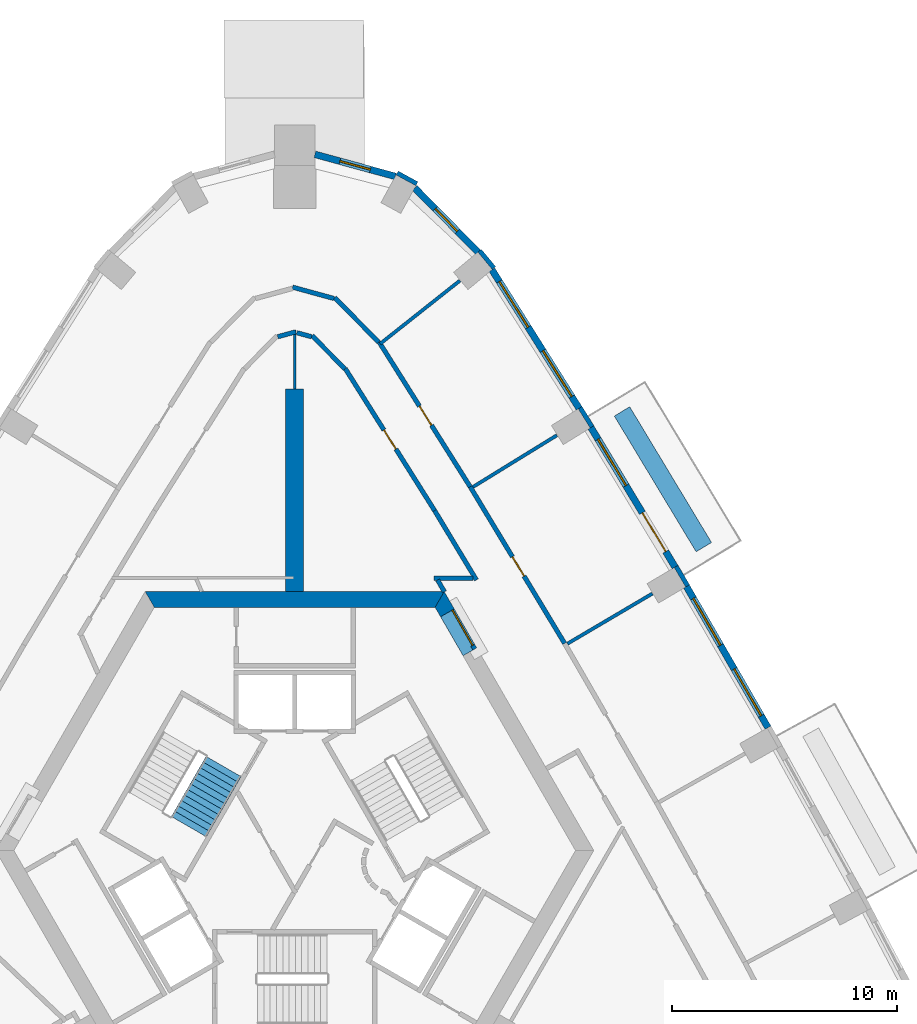
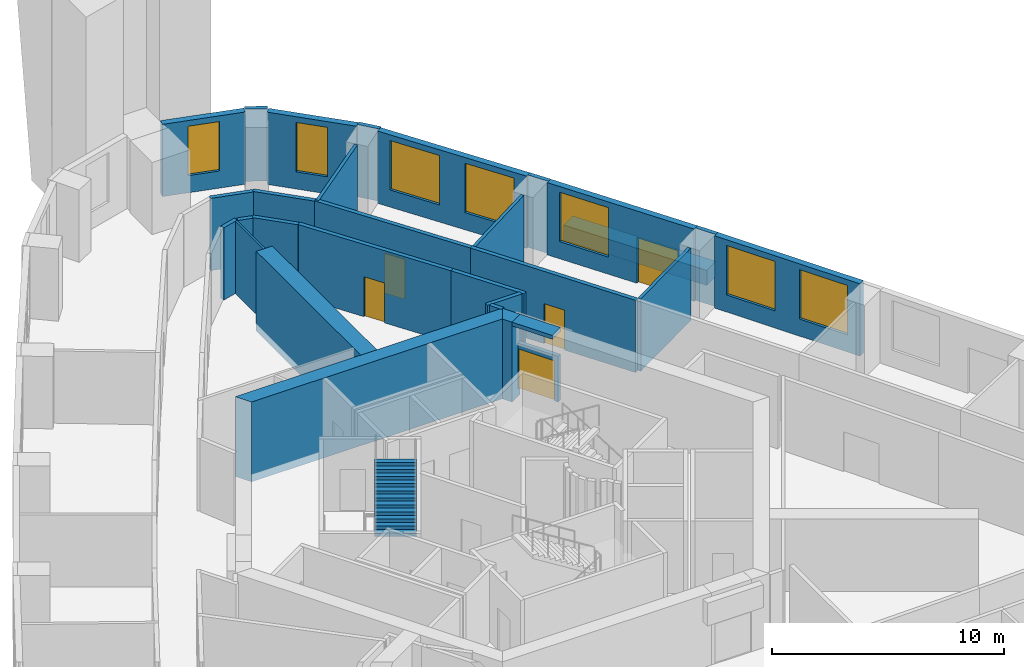
# One storey, part 9 of 13: 30 walls, 7 windows, 5 doors, 1 stair flight, 12 openings, 1 element without a shape of its own.
"""IFC4 building model written with IfcOpenShell, lengths in metres."""

from ifc_helpers import new_model, si_unit, direction, frame, frame_2d, origin, place, context, subcontext, project, spatial, polyline, rectangle, outline, extrude, material, layer, layer_set, type_object, element, fill, aggregate, save


model = new_model("IFC4")

# Units and contexts
model_context = context("Model", 3, precision=1e-05, world=origin(), true_north=direction((0.0, 1.0)))
body_context = subcontext(model_context, "Body", "Model", "MODEL_VIEW")
ifc_project = project(units=[si_unit("LENGTHUNIT", "METRE"), si_unit("AREAUNIT", "SQUARE_METRE"), si_unit("VOLUMEUNIT", "CUBIC_METRE"), si_unit("PLANEANGLEUNIT", "RADIAN"), si_unit("MASSUNIT", "GRAM", prefix="KILO")], contexts=[model_context])

# Site, building, storey
site_placement = place(None, origin())
site = spatial("IfcSite", under=ifc_project, at=site_placement, CompositionType="ELEMENT")
building_placement = place(site_placement, origin())
building = spatial("IfcBuilding", under=site, at=building_placement, Name="Entoto Arch Interchange Tower", CompositionType="ELEMENT")
storey_placement = place(building_placement, frame((0.0, 0.0, 202.39990234375)))
storey = spatial("IfcBuildingStorey", under=building, at=storey_placement, Name="L45", CompositionType="ELEMENT", Elevation=202.39990234375)

# Wall
ifc_material_1 = material(Name="Concrete C50/60", Category="concrete")
ifc_layer_1 = layer(ifc_material_1, 0.800048828125)
ifc_layer_set_1 = layer_set([ifc_layer_1], Name="Concrete C50/60")
wall_type_1 = type_object("IfcWallType", Name="Buttress wall 800 C50/60", PredefinedType="SHEAR", material=ifc_layer_set_1)
wall_1_placement = place(storey_placement, frame((0.0, 14.0, -0.39990234375), z_axis=(0.0, 0.0, 1.0), x_axis=(0.0, 1.0, 0.0)))
element("IfcWall", 1, at=wall_1_placement, inside=storey, type_object=wall_type_1, Name="Buttress wall N L45", PredefinedType="SHEAR", context=body_context, shape_type="SweptSolid", body=[
    extrude(rectangle(XDim=9.0, YDim=0.800048828125, at=frame_2d((4.5, 0.0))), origin(), (0.0, 0.0, 1.0), 4.199951171875),
])

# Wall, opening, door
ifc_material_2 = material(Name="Reinforced concrete C40/50", Category="concrete")
ifc_layer_2 = layer(ifc_material_2, 0.199951171875)
ifc_layer_set_2 = layer_set([ifc_layer_2], Name="Reinforced concrete C40/50")
wall_type_2 = type_object("IfcWallType", Name="CORE GAP INFILL WALL", PredefinedType="PARTITIONING", material=ifc_layer_set_2)
wall_2_placement = place(storey_placement, frame((7.9970703125, 11.447998046875, 0.0), z_axis=(0.0, 0.0, 1.0), x_axis=(-0.50002537861, 0.866010750942, 0.0)))
wall_2 = element("IfcWall", 2, at=wall_2_placement, inside=storey, type_object=wall_type_2, Name="wall:L45:gap2", PredefinedType="PARTITIONING", context=body_context, shape_type="SweptSolid", body=[
    extrude(rectangle(XDim=2.0, YDim=0.199951171875, at=frame_2d((1.0, 0.0))), origin(), (0.0, 0.0, 1.0), 2.400146484375),
])
opening_1_placement = place(wall_2_placement, frame((0.18994140625, 0.0, 0.0)))
opening_1 = element("IfcOpeningElement", 3, at=opening_1_placement, cuts=wall_2, Name="Opening L45-D92", PredefinedType="OPENING", context=body_context, shape_type="SweptSolid", body=[
    extrude(rectangle(XDim=1.800048828125, YDim=2.10009765625, at=frame_2d((0.89990234375, 1.050048828125))), frame((0.0, 0.10986328125, 0.0), z_axis=(0.0, -1.0, 0.0), x_axis=(1.0, 0.0, 0.0)), (0.0, 0.0, 1.0), 0.219970703125),
])
ifc_material_3 = material(Name="Fire-rated Steel S235 door and frame", Category="steel")
door_type_1 = type_object("IfcDoorType", Name="DOOR FD-18 1800x2100", OperationType="DOUBLE_DOOR_SINGLE_SWING", PredefinedType="DOOR", material=ifc_material_3)
door_1_placement = place(opening_1_placement, origin())
door_1 = element("IfcDoor", 4, at=door_1_placement, inside=storey, type_object=door_type_1, Name="door:L45:gap2", OperationType="DOUBLE_DOOR_SINGLE_SWING", OverallHeight=2.10009765625, OverallWidth=1.800048828125, PredefinedType="DOOR", context=body_context, shape_type="SweptSolid", body=[
    extrude(rectangle(XDim=1.800048828125, YDim=2.10009765625, at=frame_2d((0.89990234375, 1.050048828125))), frame((0.0, 0.02490234375, 0.0), z_axis=(0.0, -1.0, 0.0), x_axis=(1.0, 0.0, 0.0)), (0.0, 0.0, 1.0), 0.050048828125),
])
fill(opening_1, door_1)

# Walls
ifc_layer_3 = layer(ifc_material_1, 0.699951171875)
ifc_layer_set_3 = layer_set([ifc_layer_3], Name="Concrete C50/60")
wall_type_3 = type_object("IfcWallType", Name="Core wall 700 C50/60", PredefinedType="SHEAR", material=ifc_layer_set_3)
wall_3_placement = place(storey_placement, frame((0.0, 0.0, -0.39990234375)))
element("IfcWall", 5, at=wall_3_placement, inside=storey, type_object=wall_type_3, Name="Core wall NE L45", PredefinedType="SHEAR", context=body_context, shape_type="SweptSolid", body=[
    extrude(outline(polyline([(6.47802734375, 12.8798828125), (7.083984375, 13.22998046875), (6.639892578125, 14.0), (6.235107421875, 13.300048828125), (6.47802734375, 12.8798828125)])), origin(), (0.0, 0.0, 1.0), 4.199951171875),
])
wall_4_placement = place(storey_placement, frame((0.0, 0.0, 3.60009765625)))
element("IfcWall", 6, at=wall_4_placement, inside=storey, type_object=wall_type_3, Name="Core wall lintel NE L45", PredefinedType="SHEAR", context=body_context, shape_type="SweptSolid", body=[
    extrude(outline(polyline([(7.083984375, 13.22998046875), (6.47802734375, 12.8798828125), (7.47802734375, 11.14794921875), (8.083984375, 11.498046875), (7.083984375, 13.22998046875)])), origin(), (0.0, 0.0, 1.0), 0.199951171875),
])
wall_5_placement = place(storey_placement, frame((0.0, 0.0, -0.39990234375)))
element("IfcWall", 7, at=wall_5_placement, inside=storey, type_object=wall_type_3, Name="Core wall N L45", PredefinedType="SHEAR", context=body_context, shape_type="SweptSolid", body=[
    extrude(outline(polyline([(6.639892578125, 14.0), (-6.639892578125, 14.0), (-6.235107421875, 13.300048828125), (6.235107421875, 13.300048828125), (6.639892578125, 14.0)])), origin(), (0.0, 0.0, 1.0), 4.199951171875),
])
ifc_material_4 = material(Name="Gypsum board partition on steel studs", Category="steel")
ifc_layer_4 = layer(ifc_material_4, 0.10009765625)
ifc_layer_set_4 = layer_set([ifc_layer_4], Name="Gypsum board partition on steel studs")
wall_type_4 = type_object("IfcWallType", Name="PARTITION 100", PredefinedType="PARTITIONING", material=ifc_layer_set_4)
wall_6_placement = place(storey_placement, frame((0.0, 23.0, 0.0), z_axis=(0.0, 0.0, 1.0), x_axis=(0.0, 1.0, 0.0)))
element("IfcWall", 8, at=wall_6_placement, inside=storey, type_object=wall_type_4, Name="wall:L45:p098", PredefinedType="PARTITIONING", context=body_context, shape_type="SweptSolid", body=[
    extrude(rectangle(XDim=2.6201171875, YDim=0.10009765625, at=frame_2d((1.31005859375, 0.0))), origin(), (0.0, 0.0, 1.0), 3.800048828125),
])
ifc_layer_5 = layer(ifc_material_4, 0.14990234375)
ifc_layer_set_5 = layer_set([ifc_layer_5], Name="Gypsum board partition on steel studs")
wall_type_5 = type_object("IfcWallType", Name="PARTITION 150", PredefinedType="PARTITIONING", material=ifc_layer_set_5)
wall_7_placement = place(storey_placement, frame((12.111083984375, 11.68408203125, 0.0), z_axis=(0.0, 0.0, 1.0), x_axis=(0.861290233547, 0.508113307833, 0.0)))
element("IfcWall", 9, at=wall_7_placement, inside=storey, type_object=wall_type_5, Name="wall:L45:p114", PredefinedType="PARTITIONING", context=body_context, shape_type="SweptSolid", body=[
    extrude(rectangle(XDim=4.380615234375, YDim=0.14990234375, at=frame_2d((2.1904296875, 0.0))), origin(), (0.0, 0.0, 1.0), 3.800048828125),
])
wall_8_placement = place(storey_placement, frame((7.916015625, 18.64404296875, 0.0), z_axis=(0.0, 0.0, 1.0), x_axis=(0.851543444049, 0.524284047914, 0.0)))
element("IfcWall", 10, at=wall_8_placement, inside=storey, type_object=wall_type_5, Name="wall:L45:p115", PredefinedType="PARTITIONING", context=body_context, shape_type="SweptSolid", body=[
    extrude(rectangle(XDim=4.379150390625, YDim=0.14990234375, at=frame_2d((2.189453125, 0.0))), origin(), (0.0, 0.0, 1.0), 3.800048828125),
])
wall_9_placement = place(storey_placement, frame((3.797119140625, 25.0029296875, 0.0), z_axis=(0.0, 0.0, 1.0), x_axis=(0.783893371826, 0.620895467536, 0.0)))
element("IfcWall", 11, at=wall_9_placement, inside=storey, type_object=wall_type_5, Name="wall:L45:p116", PredefinedType="PARTITIONING", context=body_context, shape_type="SweptSolid", body=[
    extrude(rectangle(XDim=4.514404296875, YDim=0.14990234375, at=frame_2d((2.25732421875, 0.0))), origin(), (0.0, 0.0, 1.0), 3.800048828125),
])
ifc_layer_6 = layer(ifc_material_4, 0.199951171875)
ifc_layer_set_6 = layer_set([ifc_layer_6], Name="Gypsum board partition on steel studs")
wall_type_6 = type_object("IfcWallType", Name="PARTITION 200", PredefinedType="PARTITIONING", material=ifc_layer_set_6)
wall_10_placement = place(storey_placement, frame((6.64892578125, 13.988037109375, 0.0), z_axis=(0.0, 0.0, 1.0), x_axis=(-0.499908430952, 0.866078264744, 0.0)))
element("IfcWall", 12, at=wall_10_placement, inside=storey, type_object=wall_type_6, Name="wall:L45:p005", PredefinedType="PARTITIONING", context=body_context, shape_type="SweptSolid", body=[
    extrude(rectangle(XDim=0.60595703125, YDim=0.199951171875, at=frame_2d((0.302978515625, 0.0))), origin(), (0.0, 0.0, 1.0), 3.800048828125),
])
wall_11_placement = place(storey_placement, frame((6.196044921875, 14.60009765625, 0.0), z_axis=(0.0, 0.0, 1.0), x_axis=(1.0, 0.0, 0.0)))
element("IfcWall", 13, at=wall_11_placement, inside=storey, type_object=wall_type_6, Name="wall:L45:p006", PredefinedType="PARTITIONING", context=body_context, shape_type="SweptSolid", body=[
    extrude(rectangle(XDim=1.721923828125, YDim=0.199951171875, at=frame_2d((0.86083984375, 0.0))), origin(), (0.0, 0.0, 1.0), 3.800048828125),
])
wall_12_placement = place(storey_placement, frame((8.070068359375, 14.513916015625, 0.0), z_axis=(0.0, 0.0, 1.0), x_axis=(-0.51624118739, 0.856443247648, 0.0)))
element("IfcWall", 14, at=wall_12_placement, inside=storey, type_object=wall_type_6, Name="wall:L45:p007", PredefinedType="PARTITIONING", context=body_context, shape_type="SweptSolid", body=[
    extrude(rectangle(XDim=3.597412109375, YDim=0.199951171875, at=frame_2d((1.798828125, 0.0))), origin(), (0.0, 0.0, 1.0), 3.800048828125),
])

# Wall, opening, door
wall_13_placement = place(storey_placement, frame((6.212890625, 17.594970703125, 0.0), z_axis=(0.0, 0.0, 1.0), x_axis=(-0.532527247309, 0.846412860768, 0.0)))
wall_13 = element("IfcWall", 15, at=wall_13_placement, inside=storey, type_object=wall_type_6, Name="wall:L45:p008", PredefinedType="PARTITIONING", context=body_context, shape_type="SweptSolid", body=[
    extrude(rectangle(XDim=7.448974609375, YDim=0.199951171875, at=frame_2d((3.724609375, 0.0))), origin(), (0.0, 0.0, 1.0), 3.800048828125),
])
opening_2_placement = place(wall_13_placement, frame((3.22509765625, 0.0, 0.0)))
opening_2 = element("IfcOpeningElement", 16, at=opening_2_placement, cuts=wall_13, Name="Opening L45-D17", PredefinedType="OPENING", context=body_context, shape_type="SweptSolid", body=[
    extrude(rectangle(XDim=1.0, YDim=2.10009765625, at=frame_2d((0.5, 1.050048828125))), frame((0.0, 0.10986328125, 0.0), z_axis=(0.0, -1.0, 0.0), x_axis=(1.0, 0.0, 0.0)), (0.0, 0.0, 1.0), 0.219970703125),
])
ifc_material_5 = material(Name="Timber door leaf in Steel S235 frame", Category="steel")
door_type_2 = type_object("IfcDoorType", Name="DOOR DS-10 1000x2100", OperationType="SINGLE_SWING_LEFT", PredefinedType="DOOR", material=ifc_material_5)
door_2_placement = place(opening_2_placement, origin())
door_2 = element("IfcDoor", 17, at=door_2_placement, inside=storey, type_object=door_type_2, Name="door:L45:17", OperationType="SINGLE_SWING_LEFT", OverallHeight=2.10009765625, OverallWidth=1.0, PredefinedType="DOOR", context=body_context, shape_type="SweptSolid", body=[
    extrude(rectangle(XDim=1.0, YDim=2.10009765625, at=frame_2d((0.5, 1.050048828125))), frame((0.0, 0.02490234375, 0.0), z_axis=(0.0, -1.0, 0.0), x_axis=(1.0, 0.0, 0.0)), (0.0, 0.0, 1.0), 0.050048828125),
])
fill(opening_2, door_2)

# Walls
wall_14_placement = place(storey_placement, frame((2.22900390625, 23.886962890625, 0.0), z_axis=(0.0, 0.0, 1.0), x_axis=(-0.702245482258, 0.711934886523, 0.0)))
element("IfcWall", 18, at=wall_14_placement, inside=storey, type_object=wall_type_6, Name="wall:L45:p009", PredefinedType="PARTITIONING", context=body_context, shape_type="SweptSolid", body=[
    extrude(rectangle(XDim=2.066162109375, YDim=0.199951171875, at=frame_2d((1.033203125, 0.0))), origin(), (0.0, 0.0, 1.0), 3.800048828125),
])
wall_15_placement = place(storey_placement, frame((0.751953125, 25.31298828125, 0.0), z_axis=(0.0, 0.0, 1.0), x_axis=(-0.964381816756, 0.264514104559, 0.0)))
element("IfcWall", 19, at=wall_15_placement, inside=storey, type_object=wall_type_6, Name="wall:L45:p010", PredefinedType="PARTITIONING", context=body_context, shape_type="SweptSolid", body=[
    extrude(rectangle(XDim=0.68017578125, YDim=0.199951171875, at=frame_2d((0.340087890625, 0.0))), origin(), (0.0, 0.0, 1.0), 3.800048828125),
])
wall_16_placement = place(storey_placement, frame((0.048095703125, 25.532958984375, 0.0), z_axis=(0.0, 0.0, 1.0), x_axis=(-0.964218556253, -0.265108611286, 0.0)))
element("IfcWall", 20, at=wall_16_placement, inside=storey, type_object=wall_type_6, Name="wall:L45:p011", PredefinedType="PARTITIONING", context=body_context, shape_type="SweptSolid", body=[
    extrude(rectangle(XDim=0.829833984375, YDim=0.199951171875, at=frame_2d((0.4150390625, 0.0))), origin(), (0.0, 0.0, 1.0), 3.800048828125),
])

# Wall, opening, door
wall_17_placement = place(storey_placement, frame((7.7919921875, 18.655029296875, 0.0), z_axis=(0.0, 0.0, 1.0), x_axis=(0.516293428925, -0.856411755669, 0.0)))
wall_17 = element("IfcWall", 21, at=wall_17_placement, inside=storey, type_object=wall_type_6, Name="wall:L45:p046", PredefinedType="PARTITIONING", context=body_context, shape_type="SweptSolid", body=[
    extrude(rectangle(XDim=8.12353515625, YDim=0.199951171875, at=frame_2d((4.061767578125, 0.0))), origin(), (0.0, 0.0, 1.0), 3.800048828125),
])
opening_3_placement = place(wall_17_placement, frame((3.636962890625, 0.0, 0.0)))
opening_3 = element("IfcOpeningElement", 22, at=opening_3_placement, cuts=wall_17, Name="Opening L45-D07", PredefinedType="OPENING", context=body_context, shape_type="SweptSolid", body=[
    extrude(rectangle(XDim=1.0, YDim=2.10009765625, at=frame_2d((0.5, 1.050048828125))), frame((0.0, 0.10986328125, 0.0), z_axis=(0.0, -1.0, 0.0), x_axis=(1.0, 0.0, 0.0)), (0.0, 0.0, 1.0), 0.219970703125),
])
door_3_placement = place(opening_3_placement, origin())
door_3 = element("IfcDoor", 23, at=door_3_placement, inside=storey, type_object=door_type_2, Name="door:L45:07", OperationType="SINGLE_SWING_RIGHT", OverallHeight=2.10009765625, OverallWidth=1.0, PredefinedType="DOOR", context=body_context, shape_type="SweptSolid", body=[
    extrude(rectangle(XDim=1.0, YDim=2.10009765625, at=frame_2d((0.5, 1.050048828125))), frame((0.0, 0.02490234375, 0.0), z_axis=(0.0, -1.0, 0.0), x_axis=(1.0, 0.0, 0.0)), (0.0, 0.0, 1.0), 0.050048828125),
])
fill(opening_3, door_3)

wall_18_placement = place(storey_placement, frame((3.743896484375, 25.0869140625, 0.0), z_axis=(0.0, 0.0, 1.0), x_axis=(0.532569549341, -0.846386244639, 0.0)))
wall_18 = element("IfcWall", 24, at=wall_18_placement, inside=storey, type_object=wall_type_6, Name="wall:L45:p047", PredefinedType="PARTITIONING", context=body_context, shape_type="SweptSolid", body=[
    extrude(rectangle(XDim=7.59912109375, YDim=0.199951171875, at=frame_2d((3.799560546875, 0.0))), origin(), (0.0, 0.0, 1.0), 3.800048828125),
])
opening_4_placement = place(wall_18_placement, frame((3.375, 0.0, 0.0)))
opening_4 = element("IfcOpeningElement", 25, at=opening_4_placement, cuts=wall_18, Name="Opening L45-D08", PredefinedType="OPENING", context=body_context, shape_type="SweptSolid", body=[
    extrude(rectangle(XDim=1.0, YDim=2.10009765625, at=frame_2d((0.5, 1.050048828125))), frame((0.0, 0.10986328125, 0.0), z_axis=(0.0, -1.0, 0.0), x_axis=(1.0, 0.0, 0.0)), (0.0, 0.0, 1.0), 0.219970703125),
])
door_4_placement = place(opening_4_placement, origin())
door_4 = element("IfcDoor", 26, at=door_4_placement, inside=storey, type_object=door_type_2, Name="door:L45:08", OperationType="SINGLE_SWING_LEFT", OverallHeight=2.10009765625, OverallWidth=1.0, PredefinedType="DOOR", context=body_context, shape_type="SweptSolid", body=[
    extrude(rectangle(XDim=1.0, YDim=2.10009765625, at=frame_2d((0.5, 1.050048828125))), frame((0.0, 0.02490234375, 0.0), z_axis=(0.0, -1.0, 0.0), x_axis=(1.0, 0.0, 0.0)), (0.0, 0.0, 1.0), 0.050048828125),
])
fill(opening_4, door_4)

# Walls
wall_19_placement = place(storey_placement, frame((-0.095947265625, 27.51611328125, 0.0), z_axis=(0.0, 0.0, 1.0), x_axis=(0.964432860438, -0.264327935918, 0.0)))
element("IfcWall", 27, at=wall_19_placement, inside=storey, type_object=wall_type_6, Name="wall:L45:p051", PredefinedType="PARTITIONING", context=body_context, shape_type="SweptSolid", body=[
    extrude(rectangle(XDim=1.910888671875, YDim=0.199951171875, at=frame_2d((0.95556640625, 0.0))), origin(), (0.0, 0.0, 1.0), 3.800048828125),
])
wall_20_placement = place(storey_placement, frame((1.77294921875, 27.055908203125, 0.0), z_axis=(0.0, 0.0, 1.0), x_axis=(0.702089218366, -0.712088989842, 0.0)))
element("IfcWall", 28, at=wall_20_placement, inside=storey, type_object=wall_type_6, Name="wall:L45:p052", PredefinedType="PARTITIONING", context=body_context, shape_type="SweptSolid", body=[
    extrude(rectangle(XDim=2.783203125, YDim=0.199951171875, at=frame_2d((1.3916015625, 0.0))), origin(), (0.0, 0.0, 1.0), 3.800048828125),
])
ifc_material_6 = material(Name="Board-marked precast concrete C50/60", Category="concrete")
ifc_layer_7 = layer(ifc_material_6, 0.800048828125)
ifc_layer_set_7 = layer_set([ifc_layer_7], Name="Board-marked precast concrete C50/60")
wall_type_7 = type_object("IfcWallType", Name="PLANTER RC 800 Afrocarpus falcatus", PredefinedType="STANDARD", material=ifc_layer_set_7)
wall_21_placement = place(storey_placement, frame((18.16796875, 15.969970703125, 0.0), z_axis=(0.0, 0.0, 1.0), x_axis=(-0.516228760394, 0.856450738188, 0.0)))
element("IfcWall", 29, at=wall_21_placement, inside=storey, type_object=wall_type_7, Name="Planter NE-04 L45", PredefinedType="STANDARD", context=body_context, shape_type="SweptSolid", body=[
    extrude(rectangle(XDim=7.03955078125, YDim=0.800048828125, at=frame_2d((3.519775390625, 0.0))), origin(), (0.0, 0.0, 1.0), 0.800048828125),
])

# Wall, openings, windows
ifc_material_7 = material(Name="Welded tuff (ignimbrite) cladding, warm buff", Category="masonry")
ifc_layer_8 = layer(ifc_material_7, 0.300048828125)
ifc_layer_set_8 = layer_set([ifc_layer_8], Name="Welded tuff (ignimbrite) cladding, warm buff")
wall_type_8 = type_object("IfcWallType", Name="STONE INFILL WALL 300", PredefinedType="STANDARD", material=ifc_layer_set_8)
wall_22_placement = place(storey_placement, frame((21.01904296875, 7.955078125, 0.0), z_axis=(0.0, 0.0, 1.0), x_axis=(-0.500012402131, 0.866018243292, 0.0)))
wall_22 = element("IfcWall", 30, at=wall_22_placement, inside=storey, type_object=wall_type_8, Name="Facade wall NE-03 L45", PredefinedType="STANDARD", context=body_context, shape_type="SweptSolid", body=[
    extrude(rectangle(XDim=7.239990234375, YDim=0.300048828125, at=frame_2d((3.6201171875, 0.0))), origin(), (0.0, 0.0, 1.0), 3.800048828125),
])
opening_5_placement = place(wall_22_placement, frame((0.610107421875, 0.0, 0.89990234375)))
opening_5 = element("IfcOpeningElement", 31, at=opening_5_placement, cuts=wall_22, Name="Opening WO-A", PredefinedType="OPENING", context=body_context, shape_type="SweptSolid", body=[
    extrude(rectangle(XDim=2.39990234375, YDim=2.60009765625, at=frame_2d((1.199951171875, 1.300048828125))), frame((0.0, 0.16015625, 0.0), z_axis=(0.0, -1.0, 0.0), x_axis=(1.0, 0.0, 0.0)), (0.0, 0.0, 1.0), 0.320068359375),
])
opening_6_placement = place(wall_22_placement, frame((4.22998046875, 0.0, 0.89990234375)))
opening_6 = element("IfcOpeningElement", 32, at=opening_6_placement, cuts=wall_22, Name="Opening WO-A", PredefinedType="OPENING", context=body_context, shape_type="SweptSolid", body=[
    extrude(rectangle(XDim=2.39990234375, YDim=2.60009765625, at=frame_2d((1.199951171875, 1.300048828125))), frame((0.0, 0.16015625, 0.0), z_axis=(0.0, -1.0, 0.0), x_axis=(1.0, 0.0, 0.0)), (0.0, 0.0, 1.0), 0.320068359375),
])
ifc_material_8 = material(Name="Clear glass, low-e double glazed", Category="glass")
window_type_1 = type_object("IfcWindowType", Name="WINDOW WO-A 2400x2600", PartitioningType="DOUBLE_PANEL_VERTICAL", PredefinedType="WINDOW", material=ifc_material_8)
window_1_placement = place(opening_5_placement, origin())
window_1 = element("IfcWindow", 33, at=window_1_placement, inside=storey, type_object=window_type_1, Name="Window WO-A NE-03 L45", OverallHeight=2.60009765625, OverallWidth=2.39990234375, PartitioningType="SINGLE_PANEL", PredefinedType="WINDOW", context=body_context, shape_type="SweptSolid", body=[
    extrude(rectangle(XDim=2.39990234375, YDim=2.60009765625, at=frame_2d((1.199951171875, 1.300048828125))), frame((0.0, 0.030029296875, 0.0), z_axis=(0.0, -1.0, 0.0), x_axis=(1.0, 0.0, 0.0)), (0.0, 0.0, 1.0), 0.06005859375),
])
fill(opening_5, window_1)
window_2_placement = place(opening_6_placement, origin())
window_2 = element("IfcWindow", 34, at=window_2_placement, inside=storey, type_object=window_type_1, Name="Window WO-A NE-03 L45", OverallHeight=2.60009765625, OverallWidth=2.39990234375, PartitioningType="SINGLE_PANEL", PredefinedType="WINDOW", context=body_context, shape_type="SweptSolid", body=[
    extrude(rectangle(XDim=2.39990234375, YDim=2.60009765625, at=frame_2d((1.199951171875, 1.300048828125))), frame((0.0, 0.030029296875, 0.0), z_axis=(0.0, -1.0, 0.0), x_axis=(1.0, 0.0, 0.0)), (0.0, 0.0, 1.0), 0.06005859375),
])
fill(opening_6, window_2)

# Wall, openings, door, window
wall_23_placement = place(storey_placement, frame((16.89208984375, 15.083984375, 0.0), z_axis=(0.0, 0.0, 1.0), x_axis=(-0.516230553484, 0.856449657394, 0.0)))
wall_23 = element("IfcWall", 35, at=wall_23_placement, inside=storey, type_object=wall_type_8, Name="Facade wall NE-04 L45", PredefinedType="STANDARD", context=body_context, shape_type="SweptSolid", body=[
    extrude(rectangle(XDim=7.239013671875, YDim=0.300048828125, at=frame_2d((3.61962890625, 0.0))), origin(), (0.0, 0.0, 1.0), 3.800048828125),
])
opening_7_placement = place(wall_23_placement, frame((0.81005859375, 0.0, 0.0)))
opening_7 = element("IfcOpeningElement", 36, at=opening_7_placement, cuts=wall_23, Name="Opening DB-NE-04-L45", PredefinedType="OPENING", context=body_context, shape_type="SweptSolid", body=[
    extrude(rectangle(XDim=2.0, YDim=2.39990234375, at=frame_2d((1.0, 1.199951171875))), frame((0.0, 0.16015625, 0.0), z_axis=(0.0, -1.0, 0.0), x_axis=(1.0, 0.0, 0.0)), (0.0, 0.0, 1.0), 0.320068359375),
])
opening_8_placement = place(wall_23_placement, frame((4.22900390625, 0.0, 0.89990234375)))
opening_8 = element("IfcOpeningElement", 37, at=opening_8_placement, cuts=wall_23, Name="Opening WO-A", PredefinedType="OPENING", context=body_context, shape_type="SweptSolid", body=[
    extrude(rectangle(XDim=2.39990234375, YDim=2.60009765625, at=frame_2d((1.199951171875, 1.300048828125))), frame((0.0, 0.16015625, 0.0), z_axis=(0.0, -1.0, 0.0), x_axis=(1.0, 0.0, 0.0)), (0.0, 0.0, 1.0), 0.320068359375),
])
ifc_material_9 = material(Name="Aluminium and clear glass, anodised", Category="aluminium")
door_type_3 = type_object("IfcDoorType", Name="BALCONY DOOR DB 2000x2400", OperationType="SLIDING_TO_LEFT", PredefinedType="DOOR", material=ifc_material_9)
door_5_placement = place(opening_7_placement, origin())
door_5 = element("IfcDoor", 38, at=door_5_placement, inside=storey, type_object=door_type_3, Name="Balcony door NE-04 L45", OperationType="SLIDING_TO_LEFT", OverallHeight=2.39990234375, OverallWidth=2.0, PredefinedType="DOOR", context=body_context, shape_type="SweptSolid", body=[
    extrude(rectangle(XDim=2.0, YDim=2.39990234375, at=frame_2d((1.0, 1.199951171875))), frame((0.0, 0.02490234375, 0.0), z_axis=(0.0, -1.0, 0.0), x_axis=(1.0, 0.0, 0.0)), (0.0, 0.0, 1.0), 0.050048828125),
])
fill(opening_7, door_5)
window_3_placement = place(opening_8_placement, origin())
window_3 = element("IfcWindow", 39, at=window_3_placement, inside=storey, type_object=window_type_1, Name="Window WO-A NE-04 L45", OverallHeight=2.60009765625, OverallWidth=2.39990234375, PartitioningType="SINGLE_PANEL", PredefinedType="WINDOW", context=body_context, shape_type="SweptSolid", body=[
    extrude(rectangle(XDim=2.39990234375, YDim=2.60009765625, at=frame_2d((1.199951171875, 1.300048828125))), frame((0.0, 0.030029296875, 0.0), z_axis=(0.0, -1.0, 0.0), x_axis=(1.0, 0.0, 0.0)), (0.0, 0.0, 1.0), 0.06005859375),
])
fill(opening_8, window_3)

# Wall, openings, windows
wall_24_placement = place(storey_placement, frame((12.632080078125, 22.134033203125, 0.0), z_axis=(0.0, 0.0, 1.0), x_axis=(-0.532522107002, 0.84641609481, 0.0)))
wall_24 = element("IfcWall", 40, at=wall_24_placement, inside=storey, type_object=wall_type_8, Name="Facade wall NE-05 L45", PredefinedType="STANDARD", context=body_context, shape_type="SweptSolid", body=[
    extrude(rectangle(XDim=7.27294921875, YDim=0.300048828125, at=frame_2d((3.636474609375, 0.0))), origin(), (0.0, 0.0, 1.0), 3.800048828125),
])
opening_9_placement = place(wall_24_placement, frame((0.617919921875, 0.0, 0.89990234375)))
opening_9 = element("IfcOpeningElement", 41, at=opening_9_placement, cuts=wall_24, Name="Opening WO-A", PredefinedType="OPENING", context=body_context, shape_type="SweptSolid", body=[
    extrude(rectangle(XDim=2.39990234375, YDim=2.60009765625, at=frame_2d((1.199951171875, 1.300048828125))), frame((0.0, 0.16015625, 0.0), z_axis=(0.0, -1.0, 0.0), x_axis=(1.0, 0.0, 0.0)), (0.0, 0.0, 1.0), 0.320068359375),
])
opening_10_placement = place(wall_24_placement, frame((4.2548828125, 0.0, 0.89990234375)))
opening_10 = element("IfcOpeningElement", 42, at=opening_10_placement, cuts=wall_24, Name="Opening WO-A", PredefinedType="OPENING", context=body_context, shape_type="SweptSolid", body=[
    extrude(rectangle(XDim=2.39990234375, YDim=2.60009765625, at=frame_2d((1.199951171875, 1.300048828125))), frame((0.0, 0.16015625, 0.0), z_axis=(0.0, -1.0, 0.0), x_axis=(1.0, 0.0, 0.0)), (0.0, 0.0, 1.0), 0.320068359375),
])
window_4_placement = place(opening_9_placement, origin())
window_4 = element("IfcWindow", 43, at=window_4_placement, inside=storey, type_object=window_type_1, Name="Window WO-A NE-05 L45", OverallHeight=2.60009765625, OverallWidth=2.39990234375, PartitioningType="SINGLE_PANEL", PredefinedType="WINDOW", context=body_context, shape_type="SweptSolid", body=[
    extrude(rectangle(XDim=2.39990234375, YDim=2.60009765625, at=frame_2d((1.199951171875, 1.300048828125))), frame((0.0, 0.030029296875, 0.0), z_axis=(0.0, -1.0, 0.0), x_axis=(1.0, 0.0, 0.0)), (0.0, 0.0, 1.0), 0.06005859375),
])
fill(opening_9, window_4)
window_5_placement = place(opening_10_placement, origin())
window_5 = element("IfcWindow", 44, at=window_5_placement, inside=storey, type_object=window_type_1, Name="Window WO-A NE-05 L45", OverallHeight=2.60009765625, OverallWidth=2.39990234375, PartitioningType="SINGLE_PANEL", PredefinedType="WINDOW", context=body_context, shape_type="SweptSolid", body=[
    extrude(rectangle(XDim=2.39990234375, YDim=2.60009765625, at=frame_2d((1.199951171875, 1.300048828125))), frame((0.0, 0.030029296875, 0.0), z_axis=(0.0, -1.0, 0.0), x_axis=(1.0, 0.0, 0.0)), (0.0, 0.0, 1.0), 0.06005859375),
])
fill(opening_10, window_5)

# Wall, opening, window
wall_25_placement = place(storey_placement, frame((8.138916015625, 29.072998046875, 0.0), z_axis=(0.0, 0.0, 1.0), x_axis=(-0.70209072612, 0.712087503258, 0.0)))
wall_25 = element("IfcWall", 45, at=wall_25_placement, inside=storey, type_object=wall_type_8, Name="Facade wall N-01 L45", PredefinedType="STANDARD", context=body_context, shape_type="SweptSolid", body=[
    extrude(rectangle(XDim=4.005126953125, YDim=0.300048828125, at=frame_2d((2.00244140625, 0.0))), origin(), (0.0, 0.0, 1.0), 3.800048828125),
])
opening_11_placement = place(wall_25_placement, frame((1.302978515625, 0.0, 0.89990234375)))
opening_11 = element("IfcOpeningElement", 46, at=opening_11_placement, cuts=wall_25, Name="Opening WO-B", PredefinedType="OPENING", context=body_context, shape_type="SweptSolid", body=[
    extrude(rectangle(XDim=1.39990234375, YDim=2.60009765625, at=frame_2d((0.699951171875, 1.300048828125))), frame((0.0, 0.16015625, 0.0), z_axis=(0.0, -1.0, 0.0), x_axis=(1.0, 0.0, 0.0)), (0.0, 0.0, 1.0), 0.320068359375),
])
window_type_2 = type_object("IfcWindowType", Name="WINDOW WO-B 1400x2600", PartitioningType="DOUBLE_PANEL_VERTICAL", PredefinedType="WINDOW", material=ifc_material_8)
window_6_placement = place(opening_11_placement, origin())
window_6 = element("IfcWindow", 47, at=window_6_placement, inside=storey, type_object=window_type_2, Name="Window WO-B N-01 L45", OverallHeight=2.60009765625, OverallWidth=1.39990234375, PartitioningType="SINGLE_PANEL", PredefinedType="WINDOW", context=body_context, shape_type="SweptSolid", body=[
    extrude(rectangle(XDim=1.39990234375, YDim=2.60009765625, at=frame_2d((0.699951171875, 1.300048828125))), frame((0.0, 0.030029296875, 0.0), z_axis=(0.0, -1.0, 0.0), x_axis=(1.0, 0.0, 0.0)), (0.0, 0.0, 1.0), 0.06005859375),
])
fill(opening_11, window_6)

wall_26_placement = place(storey_placement, frame((4.468017578125, 32.43408203125, 0.0), z_axis=(0.0, 0.0, 1.0), x_axis=(-0.964377639434, 0.264529334026, 0.0)))
wall_26 = element("IfcWall", 48, at=wall_26_placement, inside=storey, type_object=wall_type_8, Name="Facade wall N-02 L45", PredefinedType="STANDARD", context=body_context, shape_type="SweptSolid", body=[
    extrude(rectangle(XDim=3.700927734375, YDim=0.300048828125, at=frame_2d((1.8505859375, 0.0))), origin(), (0.0, 0.0, 1.0), 3.800048828125),
])
opening_12_placement = place(wall_26_placement, frame((1.14990234375, 0.0, 0.89990234375)))
opening_12 = element("IfcOpeningElement", 49, at=opening_12_placement, cuts=wall_26, Name="Opening WO-B", PredefinedType="OPENING", context=body_context, shape_type="SweptSolid", body=[
    extrude(rectangle(XDim=1.39990234375, YDim=2.60009765625, at=frame_2d((0.699951171875, 1.300048828125))), frame((0.0, 0.16015625, 0.0), z_axis=(0.0, -1.0, 0.0), x_axis=(1.0, 0.0, 0.0)), (0.0, 0.0, 1.0), 0.320068359375),
])
window_7_placement = place(opening_12_placement, origin())
window_7 = element("IfcWindow", 50, at=window_7_placement, inside=storey, type_object=window_type_2, Name="Window WO-B N-02 L45", OverallHeight=2.60009765625, OverallWidth=1.39990234375, PartitioningType="SINGLE_PANEL", PredefinedType="WINDOW", context=body_context, shape_type="SweptSolid", body=[
    extrude(rectangle(XDim=1.39990234375, YDim=2.60009765625, at=frame_2d((0.699951171875, 1.300048828125))), frame((0.0, 0.030029296875, 0.0), z_axis=(0.0, -1.0, 0.0), x_axis=(1.0, 0.0, 0.0)), (0.0, 0.0, 1.0), 0.06005859375),
])
fill(opening_12, window_7)

# Walls
ifc_layer_9 = layer(ifc_material_7, 0.199951171875)
ifc_layer_set_9 = layer_set([ifc_layer_9], Name="Welded tuff (ignimbrite) cladding, warm buff")
wall_type_9 = type_object("IfcWallType", Name="STONE PIER CLADDING 200", PredefinedType="STANDARD", material=ifc_layer_set_9)
for number, where, z_axis, x_axis, name in (
    (51, (5.427001953125, 32.10693359375, 0.0), (0.0, 0.0, 1.0), (-0.878250009632, 0.478201757191, 0.0), "Stone pier N1 L45"),
    (52, (17.447021484375, 14.251953125, 0.0), (0.0, 0.0, 1.0), (-0.508161541526, 0.861261776531, 0.0), "Stone pier NE04 L45"),
):
    element("IfcWall", number, at=place(storey_placement, frame(where, z_axis=z_axis, x_axis=x_axis)), inside=storey, type_object=wall_type_9, Name=name, PredefinedType="STANDARD", context=body_context, shape_type="SweptSolid", body=[
        extrude(rectangle(XDim=0.999755859375, YDim=0.199951171875, at=frame_2d((0.5, 0.0))), origin(), (0.0, 0.0, 1.0), 3.800048828125),
    ])
wall_27_placement = place(storey_placement, frame((13.202880859375, 21.31201171875, 0.0), z_axis=(0.0, 0.0, 1.0), x_axis=(-0.525648735675, 0.850701714282, 0.0)))
element("IfcWall", 53, at=wall_27_placement, inside=storey, type_object=wall_type_9, Name="Stone pier NE05 L45", PredefinedType="STANDARD", context=body_context, shape_type="SweptSolid", body=[
    extrude(rectangle(XDim=1.00048828125, YDim=0.199951171875, at=frame_2d((0.500244140625, 0.0))), origin(), (0.0, 0.0, 1.0), 3.800048828125),
])
wall_28_placement = place(storey_placement, frame((8.84912109375, 28.364013671875, 0.0), z_axis=(0.0, 0.0, 1.0), x_axis=(-0.638117112481, 0.769939316283, 0.0)))
element("IfcWall", 54, at=wall_28_placement, inside=storey, type_object=wall_type_9, Name="Stone pier NE06 L45", PredefinedType="STANDARD", context=body_context, shape_type="SweptSolid", body=[
    extrude(rectangle(XDim=1.0, YDim=0.199951171875, at=frame_2d((0.5, 0.0))), origin(), (0.0, 0.0, 1.0), 3.800048828125),
])

# Stair, stair flight
ifc_material_10 = material(Name="Concrete C40/50", Category="concrete")
stair_type = type_object("IfcStairType", Name="EXIT STAIR RC 1800", PredefinedType="HALF_TURN_STAIR", material=ifc_material_10)
stair_placement = place(storey_placement, origin())
stair = element("IfcStair", 55, at=stair_placement, inside=storey, type_object=stair_type, Name="L45 Exit stair NW", PredefinedType="HALF_TURN_STAIR")
stair_flight_type = type_object("IfcStairFlightType", Name="EXIT STAIR FLIGHT RC 1800", PredefinedType="STRAIGHT", material=ifc_material_10)
stair_flight_placement = place(storey_placement, frame((-4.69873046875, 3.5615234375, 2.10009765625), z_axis=(0.0, 0.0, 1.0), x_axis=(0.5, 0.866025403784, 0.0)))
stair_flight = element("IfcStairFlight", 56, at=stair_flight_placement, type_object=stair_flight_type, Name="ST-NW flight 2", NumberOfRisers=12, NumberOfTreads=11, PredefinedType="STRAIGHT", RiserHeight=0.175, TreadLength=0.28, context=body_context, shape_type="SweptSolid", body=[
    extrude(outline(polyline([(-0.0029296875, 0.0), (-0.0029296875, 0.175048828125), (0.280029296875, 0.175048828125), (0.280029296875, 0.35009765625), (0.56005859375, 0.35009765625), (0.56005859375, 0.52490234375), (0.840087890625, 0.52490234375), (0.840087890625, 0.699951171875), (1.1201171875, 0.699951171875), (1.1201171875, 0.875), (1.39990234375, 0.875), (1.39990234375, 1.050048828125), (1.679931640625, 1.050048828125), (1.679931640625, 1.22509765625), (1.9599609375, 1.22509765625), (1.9599609375, 1.39990234375), (2.239990234375, 1.39990234375), (2.239990234375, 1.574951171875), (2.52001953125, 1.574951171875), (2.52001953125, 1.75), (2.800048828125, 1.75), (2.800048828125, 1.925048828125), (3.080078125, 1.925048828125), (3.0830078125, 1.925048828125), (3.0830078125, 1.75), (0.28271484375, 0.0), (-0.0029296875, 0.0)])), frame((0.0, 0.89990234375, 0.0), z_axis=(0.0, -1.0, 0.0), x_axis=(1.0, 0.0, 0.0)), (0.0, 0.0, 1.0), 1.800048828125),
])
aggregate(stair, [stair_flight])

save(model, "model.ifc")
